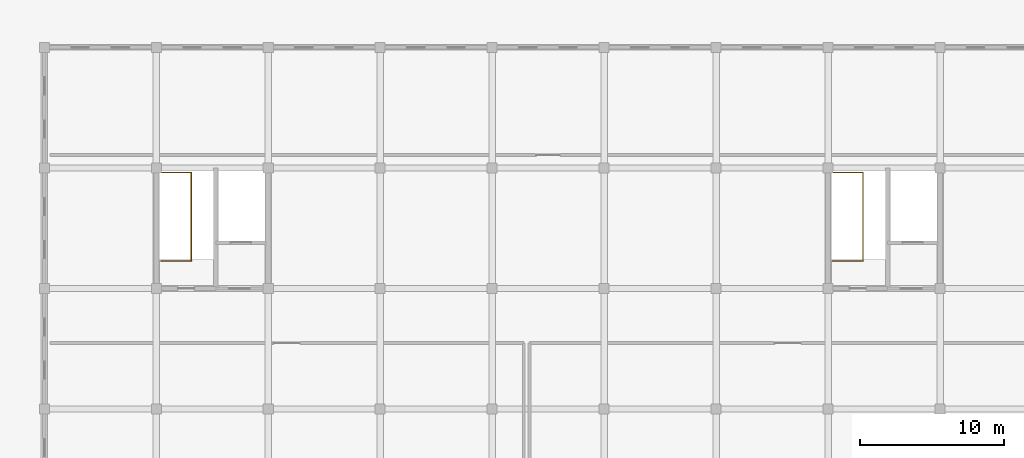
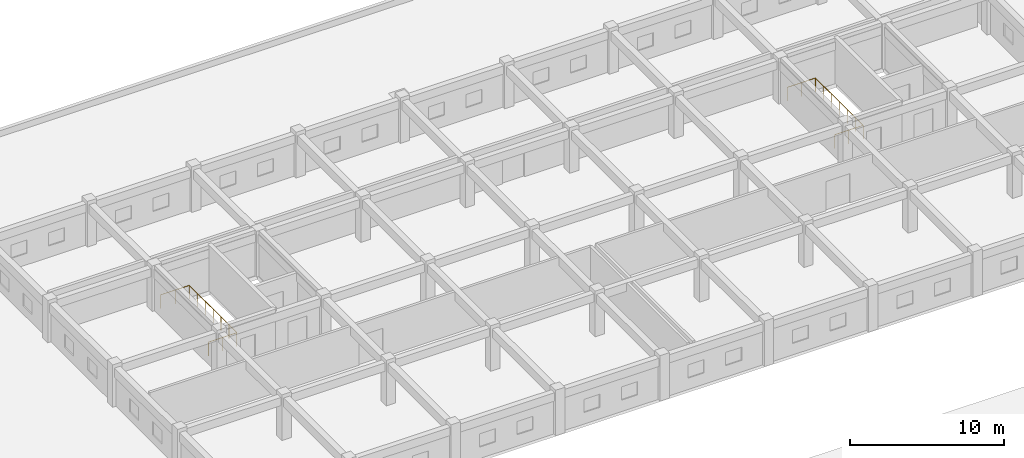
# One storey, part 100 of 101: 2 railings.
"""IFC4 building model written with IfcOpenShell, lengths in metres."""

from ifc_helpers import new_model, si_unit, direction, frame, origin, origin_2d, place, context, subcontext, project, spatial, circle, hollow_circle, extrude, material, material_profile, profile_set, type_object, element, save


model = new_model("IFC4")

# Units and contexts
model_context = context("Model", 3, precision=1e-05, world=origin(), true_north=direction((0.0, 1.0)))
body_context = subcontext(model_context, "Body", "Model", "MODEL_VIEW")
ifc_project = project(units=[si_unit("LENGTHUNIT", "METRE"), si_unit("AREAUNIT", "SQUARE_METRE"), si_unit("VOLUMEUNIT", "CUBIC_METRE"), si_unit("PLANEANGLEUNIT", "RADIAN"), si_unit("MASSUNIT", "GRAM", prefix="KILO")], contexts=[model_context])

# Site, building, storey
site_placement = place(None, origin())
site = spatial("IfcSite", under=ifc_project, at=site_placement, CompositionType="ELEMENT")
building_placement = place(site_placement, origin())
building = spatial("IfcBuilding", under=site, at=building_placement, Name="Zizhar Promenade General Hospital", CompositionType="ELEMENT")
storey_placement = place(building_placement, frame((0.0, 0.0, 14.39990234375)))
storey = spatial("IfcBuildingStorey", under=building, at=storey_placement, Name="L03", CompositionType="ELEMENT", Elevation=14.39990234375)

# Railings
ifc_material = material(Name="Steel S355", Category="steel")
ifc_material_profile = material_profile(ifc_material, hollow_circle(Radius=0.06982421875, WallThickness=0.00634765625, at=origin_2d()))
ifc_profile_set = profile_set([ifc_material_profile], Name="Steel S355")
railing_type = type_object("IfcRailingType", Name="RL-STAIR-GUARD-1100", PredefinedType="GUARDRAIL", material=ifc_profile_set)
railing_1_placement = place(storey_placement, frame((62.719970703125, 111.110107421875, 0.0)))
element("IfcRailing", 1, at=railing_1_placement, inside=storey, type_object=railing_type, Name="Stair ST-06 Top Well Guard (L03)", PredefinedType="GUARDRAIL", context=body_context, shape_type="SweptSolid", body=[
    extrude(circle(Radius=0.02392578125, at=origin_2d()), frame((0.0, 0.0, 1.076171875), z_axis=(1.0, 0.0, 0.0), x_axis=(0.0, 1.0, 0.0)), (0.0, 0.0, 1.0), 2.1201171875),
    extrude(circle(Radius=0.02392578125, at=origin_2d()), frame((2.1201171875, 0.0, 1.076171875), z_axis=(0.0, 1.0, 0.0), x_axis=(-1.0, 0.0, 0.0)), (0.0, 0.0, 1.0), 6.169921875),
    extrude(circle(Radius=0.02392578125, at=origin_2d()), frame((2.1201171875, 6.169921875, 1.076171875), z_axis=(-1.0, 0.0, 0.0), x_axis=(0.0, -1.0, 0.0)), (0.0, 0.0, 1.0), 2.1201171875),
    extrude(circle(Radius=0.02099609375, at=origin_2d()), origin(), (0.0, 0.0, 1.0), 1.052001953125),
    extrude(circle(Radius=0.02099609375, at=origin_2d()), frame((1.06005859375, 0.0, 0.0)), (0.0, 0.0, 1.0), 1.052001953125),
    extrude(circle(Radius=0.02099609375, at=origin_2d()), frame((2.1201171875, 0.0, 0.0)), (0.0, 0.0, 1.0), 1.052001953125),
    extrude(circle(Radius=0.02099609375, at=origin_2d()), frame((2.1201171875, 1.0283203125, 0.0)), (0.0, 0.0, 1.0), 1.052001953125),
    extrude(circle(Radius=0.02099609375, at=origin_2d()), frame((2.1201171875, 2.056640625, 0.0)), (0.0, 0.0, 1.0), 1.052001953125),
    extrude(circle(Radius=0.02099609375, at=origin_2d()), frame((2.1201171875, 3.0849609375, 0.0)), (0.0, 0.0, 1.0), 1.052001953125),
    extrude(circle(Radius=0.02099609375, at=origin_2d()), frame((2.1201171875, 4.11328125, 0.0)), (0.0, 0.0, 1.0), 1.052001953125),
    extrude(circle(Radius=0.02099609375, at=origin_2d()), frame((2.1201171875, 5.1416015625, 0.0)), (0.0, 0.0, 1.0), 1.052001953125),
    extrude(circle(Radius=0.02099609375, at=origin_2d()), frame((2.1201171875, 6.169921875, 0.0)), (0.0, 0.0, 1.0), 1.052001953125),
    extrude(circle(Radius=0.02099609375, at=origin_2d()), frame((1.06005859375, 6.169921875, 0.0)), (0.0, 0.0, 1.0), 1.052001953125),
    extrude(circle(Radius=0.02099609375, at=origin_2d()), frame((0.0, 6.169921875, 0.0)), (0.0, 0.0, 1.0), 1.052001953125),
])
railing_2_placement = place(storey_placement, frame((109.52001953125, 111.110107421875, 0.0)))
element("IfcRailing", 2, at=railing_2_placement, inside=storey, type_object=railing_type, Name="Stair ST-07 Top Well Guard (L03)", PredefinedType="GUARDRAIL", context=body_context, shape_type="SweptSolid", body=[
    extrude(circle(Radius=0.02392578125, at=origin_2d()), frame((0.0, 0.0, 1.076171875), z_axis=(1.0, 0.0, 0.0), x_axis=(0.0, 1.0, 0.0)), (0.0, 0.0, 1.0), 2.119873046875),
    extrude(circle(Radius=0.02392578125, at=origin_2d()), frame((2.119873046875, 0.0, 1.076171875), z_axis=(0.0, 1.0, 0.0), x_axis=(-1.0, 0.0, 0.0)), (0.0, 0.0, 1.0), 6.169921875),
    extrude(circle(Radius=0.02392578125, at=origin_2d()), frame((2.119873046875, 6.169921875, 1.076171875), z_axis=(-1.0, 0.0, 0.0), x_axis=(0.0, -1.0, 0.0)), (0.0, 0.0, 1.0), 2.119873046875),
    extrude(circle(Radius=0.02099609375, at=origin_2d()), origin(), (0.0, 0.0, 1.0), 1.052001953125),
    extrude(circle(Radius=0.02099609375, at=origin_2d()), frame((1.06005859375, 0.0, 0.0)), (0.0, 0.0, 1.0), 1.052001953125),
    extrude(circle(Radius=0.02099609375, at=origin_2d()), frame((2.119873046875, 0.0, 0.0)), (0.0, 0.0, 1.0), 1.052001953125),
    extrude(circle(Radius=0.02099609375, at=origin_2d()), frame((2.119873046875, 1.0283203125, 0.0)), (0.0, 0.0, 1.0), 1.052001953125),
    extrude(circle(Radius=0.02099609375, at=origin_2d()), frame((2.119873046875, 2.056640625, 0.0)), (0.0, 0.0, 1.0), 1.052001953125),
    extrude(circle(Radius=0.02099609375, at=origin_2d()), frame((2.119873046875, 3.0849609375, 0.0)), (0.0, 0.0, 1.0), 1.052001953125),
    extrude(circle(Radius=0.02099609375, at=origin_2d()), frame((2.119873046875, 4.11328125, 0.0)), (0.0, 0.0, 1.0), 1.052001953125),
    extrude(circle(Radius=0.02099609375, at=origin_2d()), frame((2.119873046875, 5.1416015625, 0.0)), (0.0, 0.0, 1.0), 1.052001953125),
    extrude(circle(Radius=0.02099609375, at=origin_2d()), frame((2.119873046875, 6.169921875, 0.0)), (0.0, 0.0, 1.0), 1.052001953125),
    extrude(circle(Radius=0.02099609375, at=origin_2d()), frame((1.06005859375, 6.169921875, 0.0)), (0.0, 0.0, 1.0), 1.052001953125),
    extrude(circle(Radius=0.02099609375, at=origin_2d()), frame((0.0, 6.169921875, 0.0)), (0.0, 0.0, 1.0), 1.052001953125),
])

save(model, "model.ifc")
